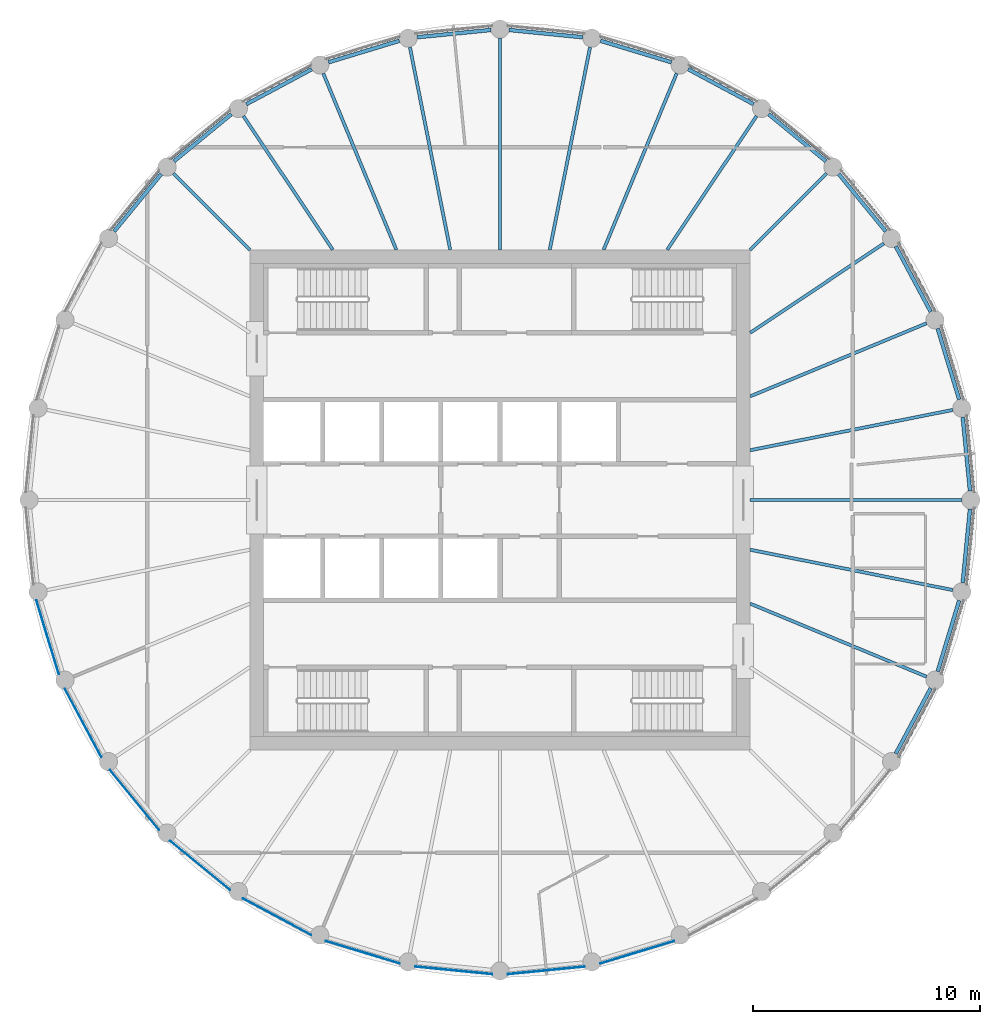
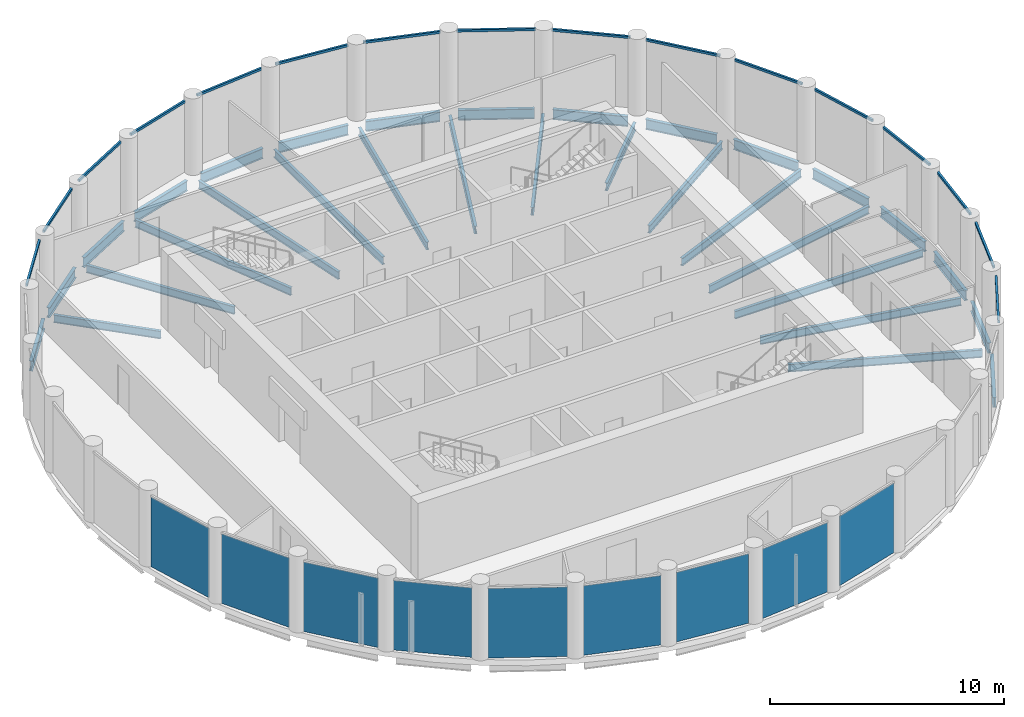
# One storey, part 2 of 7: 31 beams, 16 members, 9 plates, 25 elements without a shape of their own.
"""IFC4 building model written with IfcOpenShell, lengths in metres."""

import ifcopenshell
import ifcopenshell.guid

model = None  # the IFC model being written
_history = None  # IfcOwnerHistory: only IFC2X3 demands one
_inside = {}  # id of a spatial element -> (the spatial element, [elements in it])
_under = {}  # id of a project, library or spatial element -> (it, [spatial elements below it])
_declared = {}  # id of a project -> (the project, [libraries it declares])
_typed = {}  # id of a type object -> (the type object, [elements of that type])
_made_of = {}  # id of a material, layer set ... -> (it, [elements and type objects made of it])


def new_model(schema):
    """Start an empty IFC model of exactly this schema.

    Asked for "IFC4X3", IfcOpenShell would pick the latest addendum, in which some entities
    have other attributes; the version numbers below select the first issue.
    IFC2X3 requires an IfcOwnerHistory on every rooted entity: one is made here for all.
    """
    global model, _history
    if schema == "IFC4X3":
        model = ifcopenshell.file(schema_version=(4, 3, 0, 0))
    else:
        model = ifcopenshell.file(schema=schema)
    _inside.clear()
    _under.clear()
    _declared.clear()
    _typed.clear()
    _made_of.clear()
    _history = None
    if model.schema == "IFC2X3":
        org = make("IfcOrganization", Name="unknown")
        user = make(
            "IfcPersonAndOrganization",
            ThePerson=make("IfcPerson", FamilyName="unknown"),
            TheOrganization=org,
        )
        app = make(
            "IfcApplication",
            ApplicationDeveloper=org,
            Version="unknown",
            ApplicationFullName="unknown",
            ApplicationIdentifier="unknown",
        )
        _history = make(
            "IfcOwnerHistory",
            OwningUser=user,
            OwningApplication=app,
            ChangeAction="ADDED",
            CreationDate=0,
        )
    return model


def make(cls, **values):
    """One entity of the class cls with the attributes given. An attribute that is None is left unset."""
    return model.create_entity(
        cls, **{name: value for name, value in values.items() if value is not None}
    )


def rooted(cls, **values):
    """An entity with a GlobalId (a new one), such as an element, a storey or a relation."""
    return make(cls, GlobalId=ifcopenshell.guid.new(), OwnerHistory=_history, **values)


def si_unit(unit_type, name, prefix=None):
    """IfcSIUnit, for example si_unit("LENGTHUNIT", "METRE", prefix="MILLI")."""
    return make("IfcSIUnit", UnitType=unit_type, Prefix=prefix, Name=name)


def assignment(units):
    """IfcUnitAssignment: the units of a project."""
    return None if units is None else make("IfcUnitAssignment", Units=units)


def point(xyz):
    """IfcCartesianPoint."""
    return None if xyz is None else make("IfcCartesianPoint", Coordinates=xyz)


def direction(xyz):
    """IfcDirection."""
    return None if xyz is None else make("IfcDirection", DirectionRatios=xyz)


def frame(location, z_axis=None, x_axis=None):
    """IfcAxis2Placement3D, a coordinate frame: its origin and axes. An axis left out is left unset."""
    return make(
        "IfcAxis2Placement3D",
        Location=point(location),
        Axis=direction(z_axis),
        RefDirection=direction(x_axis),
    )


def frame_2d(location, x_axis=None):
    """IfcAxis2Placement2D, a coordinate frame in the plane: its origin and x axis."""
    return make(
        "IfcAxis2Placement2D", Location=point(location), RefDirection=direction(x_axis)
    )


def origin():
    """The frame at (0, 0, 0) with its axes left unset."""
    return frame((0.0, 0.0, 0.0))


def origin_2d():
    """The frame at (0, 0) in the plane with its x axis left unset."""
    return frame_2d((0.0, 0.0))


def place(relative_to, where):
    """IfcLocalPlacement: puts the frame where relative to a parent placement (None: the world)."""
    return make(
        "IfcLocalPlacement", PlacementRelTo=relative_to, RelativePlacement=where
    )


def context(
    kind, dimensions, precision=None, world=None, true_north=None, identifier=None
):
    """IfcGeometricRepresentationContext, for example the 3D "Model" context."""
    return make(
        "IfcGeometricRepresentationContext",
        ContextIdentifier=identifier,
        ContextType=kind,
        CoordinateSpaceDimension=dimensions,
        Precision=precision,
        WorldCoordinateSystem=world,
        TrueNorth=true_north,
    )


def subcontext(parent, identifier, kind, view, scale=None):
    """IfcGeometricRepresentationSubContext, for example "Body" below "Model"."""
    return make(
        "IfcGeometricRepresentationSubContext",
        ContextIdentifier=identifier,
        ContextType=kind,
        ParentContext=parent,
        TargetScale=scale,
        TargetView=view,
    )


def project(units=None, contexts=None):
    """IfcProject with its units and contexts."""
    return rooted(
        "IfcProject",
        Name="project",
        RepresentationContexts=contexts,
        UnitsInContext=assignment(units),
    )


def spatial(cls, under=None, at=None, **own):
    """A site, building, storey or space (cls), placed at a placement, below another one or the project."""
    s = rooted(cls, ObjectPlacement=at, **own)
    if under is not None:
        _under.setdefault(under.id(), (under, []))[1].append(s)
    return s


def profile(cls, at=None, kind="AREA", **sizes):
    """A parametric profile (cls). Its sizes go by their IFC names, for example OverallWidth=200.0."""
    return make(cls, ProfileType=kind, Position=at, **sizes)


def rectangle(**sizes):
    """IfcRectangleProfileDef."""
    return profile("IfcRectangleProfileDef", **sizes)


def i_section(**sizes):
    """IfcIShapeProfileDef."""
    return profile("IfcIShapeProfileDef", **sizes)


def extrude(swept, where, along, depth):
    """IfcExtrudedAreaSolid: the profile swept, set in the frame where, extruded along a direction by depth."""
    return make(
        "IfcExtrudedAreaSolid",
        SweptArea=swept,
        Position=where,
        ExtrudedDirection=direction(along),
        Depth=depth,
    )


def shape(context_of_items, identifier, shape_type, items):
    """IfcShapeRepresentation: the items that make up one representation, for example the "Body"."""
    return make(
        "IfcShapeRepresentation",
        ContextOfItems=context_of_items,
        RepresentationIdentifier=identifier,
        RepresentationType=shape_type,
        Items=items,
    )


def material(Name=None, Category=None):
    """IfcMaterial."""
    return make("IfcMaterial", Name=Name, Category=Category)


def layer(
    of_material, thickness, ventilated=None, Name=None, Category=None, Priority=None
):
    """IfcMaterialLayer: one layer of a wall or slab, of a material (None: an air gap)."""
    return make(
        "IfcMaterialLayer",
        Material=of_material,
        LayerThickness=thickness,
        IsVentilated=ventilated,
        Name=Name,
        Category=Category,
        Priority=Priority,
    )


def layer_set(layers, Name=None):
    """IfcMaterialLayerSet."""
    return make("IfcMaterialLayerSet", MaterialLayers=layers, LayerSetName=Name)


def material_profile(
    of_material, cross_section, Name=None, Category=None, Priority=None
):
    """IfcMaterialProfile: a cross section and its material."""
    return make(
        "IfcMaterialProfile",
        Name=Name,
        Material=of_material,
        Profile=cross_section,
        Priority=Priority,
        Category=Category,
    )


def profile_set(profiles, Name=None, composite=None):
    """IfcMaterialProfileSet."""
    return make(
        "IfcMaterialProfileSet",
        Name=Name,
        MaterialProfiles=profiles,
        CompositeProfile=composite,
    )


def made_of(thing, what):
    """Note that an element or type object is made of a material, layer set ...; save() writes the relation."""
    if what is not None:
        _made_of.setdefault(what.id(), (what, []))[1].append(thing)
    return thing


def type_object(cls, material=None, **own):
    """A type object (cls), such as IfcWallType, which elements share."""
    return made_of(rooted(cls, **own), material)


def element(
    cls,
    number,
    at=None,
    inside=None,
    cuts=None,
    type_object=None,
    material=None,
    context=None,
    identifier="Body",
    shape_type=None,
    held_by="IfcProductDefinitionShape",
    body=None,
    shapes=None,
    **own,
):
    """One element of the class cls, such as IfcWall. Its Tag is "e" and its number.

    at: its placement. inside: the storey or other place that contains it. cuts: it is an
    opening in that element (IfcRelVoidsElement). A single representation is given by context,
    identifier, shape_type and body (its items); several are given by shapes. held_by: the class
    of the entity that holds the representations. save() writes the other relations.
    """
    e = rooted(cls, Tag="e%d" % number, ObjectPlacement=at, **own)
    if body is not None:
        shapes = [shape(context, identifier, shape_type, body)]
    if shapes is not None:
        e.Representation = make(held_by, Representations=shapes)
    if inside is not None:
        _inside.setdefault(inside.id(), (inside, []))[1].append(e)
    if cuts is not None:
        rooted(
            "IfcRelVoidsElement", RelatingBuildingElement=cuts, RelatedOpeningElement=e
        )
    if type_object is not None:
        _typed.setdefault(type_object.id(), (type_object, []))[1].append(e)
    return made_of(e, material)


def aggregate(whole, parts):
    """IfcRelAggregates: a whole, such as a stair, and the parts it consists of."""
    return rooted("IfcRelAggregates", RelatingObject=whole, RelatedObjects=parts)


def save(model, path):
    """Write the relations noted so far, then the file.

    IfcRelAggregates (storeys below a building ...), IfcRelContainedInSpatialStructure (elements
    in a storey), IfcRelDefinesByType, IfcRelAssociatesMaterial and IfcRelDeclares: one each for
    every whole, place, type object, material and project.
    """
    for whole, parts in _under.values():
        aggregate(whole, parts)
    for where, things in _inside.values():
        rooted(
            "IfcRelContainedInSpatialStructure",
            RelatedElements=things,
            RelatingStructure=where,
        )
    for kind, things in _typed.values():
        rooted("IfcRelDefinesByType", RelatedObjects=things, RelatingType=kind)
    for what, things in _made_of.values():
        rooted("IfcRelAssociatesMaterial", RelatedObjects=things, RelatingMaterial=what)
    for by, libraries in _declared.values():
        rooted("IfcRelDeclares", RelatingContext=by, RelatedDefinitions=libraries)
    model.write(path)


model = new_model("IFC4")

# Units and contexts
model_context = context("Model", 3, precision=1e-05, world=origin(), true_north=direction((0.0, 1.0)))
body_context = subcontext(model_context, "Body", "Model", "MODEL_VIEW")
ifc_project = project(units=[si_unit("LENGTHUNIT", "METRE"), si_unit("AREAUNIT", "SQUARE_METRE"), si_unit("VOLUMEUNIT", "CUBIC_METRE"), si_unit("PLANEANGLEUNIT", "RADIAN"), si_unit("MASSUNIT", "GRAM", prefix="KILO")], contexts=[model_context])

# Site, building, storey
site_placement = place(None, origin())
site = spatial("IfcSite", under=ifc_project, at=site_placement, CompositionType="ELEMENT")
building_placement = place(site_placement, origin())
building = spatial("IfcBuilding", under=site, at=building_placement, Name="Corvane Civic Tower", CompositionType="ELEMENT")
storey_placement = place(building_placement, frame((0.0, 0.0, 352.5)))
storey = spatial("IfcBuildingStorey", under=building, at=storey_placement, Name="L84", CompositionType="ELEMENT", Elevation=352.5)

# Beams
ifc_material_1 = material(Name="Steel ASTM A992 Gr 50", Category="steel")
ifc_material_profile_1 = material_profile(ifc_material_1, i_section(OverallWidth=0.165771484375, OverallDepth=0.5283203125, WebThickness=0.009765625, FlangeThickness=0.013671875, at=origin_2d()), Name="W21X50")
ifc_profile_set_1 = profile_set([ifc_material_profile_1], Name="Steel ASTM A992 Gr 50")
beam_type_1 = type_object("IfcBeamType", Name="EDGE BEAM W21X50", PredefinedType="BEAM", material=ifc_profile_set_1)
beam_1_placement = place(storey_placement, frame((0.39794921875, 20.66064453125, -0.564208984375), z_axis=(0.995192503142, -0.097938152369, 0.0), x_axis=(0.097938152369, 0.995192503142, 0.0)))
element("IfcBeam", 1, at=beam_1_placement, inside=storey, type_object=beam_type_1, Name="BM-L84-E01", PredefinedType="BEAM", context=body_context, shape_type="SweptSolid", body=[
    extrude(i_section(OverallWidth=0.165771484375, OverallDepth=0.5283203125, WebThickness=0.009765625, FlangeThickness=0.013671875, at=origin_2d()), origin(), (0.0, 0.0, 1.0), 3.258056640625),
])
for number, where, z_axis, x_axis, name in (
    (2, (4.421142578125, 20.18603515625, -0.564208984375), (0.956955679349, -0.290234091317, 0.0), (0.290234091317, 0.956955679349, 0.0), "BM-L84-E02"),
    (3, (8.2744140625, 18.935791015625, -0.564208984375), (0.881894065907, -0.471447618, 0.0), (0.471447618, 0.881894065907, 0.0), "BM-L84-E03"),
    (4, (11.8095703125, 16.957763671875, -0.564208984375), (0.772984791903, -0.634424551454, 0.0), (0.634424551454, 0.772984791903, 0.0), "BM-L84-E04"),
    (5, (14.890869140625, 14.327880859375, -0.564208984375), (0.634424551454, -0.772984791903, 0.0), (0.772984791903, 0.634424551454, 0.0), "BM-L84-E05"),
    (6, (17.39990234375, 11.1474609375, -0.564208984375), (0.471447618, -0.881894065907, 0.0), (0.881894065907, 0.471447618, 0.0), "BM-L84-E06"),
    (7, (19.240478515625, 7.538818359375, -0.564208984375), (0.290234091317, -0.956955679349, 0.0), (0.956955679349, 0.290234091317, 0.0), "BM-L84-E07"),
):
    element("IfcBeam", number, at=place(storey_placement, frame(where, z_axis=z_axis, x_axis=x_axis)), inside=storey, type_object=beam_type_1, Name=name, PredefinedType="BEAM", context=body_context, shape_type="SweptSolid", body=[
        extrude(i_section(OverallWidth=0.165771484375, OverallDepth=0.5283203125, WebThickness=0.009765625, FlangeThickness=0.013671875, at=origin_2d()), origin(), (0.0, 0.0, 1.0), 3.2578125),
    ])
for number, where, z_axis, x_axis, name in (
    (8, (20.341552734375, 3.640380859375, -0.564208984375), (0.097938152369, -0.995192503142, 0.0), (0.995192503142, 0.097938152369, 0.0), "BM-L84-E08"),
    (9, (20.66064453125, -0.39794921875, -0.564208984375), (-0.097938152369, -0.995192503142, 0.0), (0.995192503142, -0.097938152369, 0.0), "BM-L84-E09"),
):
    element("IfcBeam", number, at=place(storey_placement, frame(where, z_axis=z_axis, x_axis=x_axis)), inside=storey, type_object=beam_type_1, Name=name, PredefinedType="BEAM", context=body_context, shape_type="SweptSolid", body=[
        extrude(i_section(OverallWidth=0.165771484375, OverallDepth=0.5283203125, WebThickness=0.009765625, FlangeThickness=0.013671875, at=origin_2d()), origin(), (0.0, 0.0, 1.0), 3.258056640625),
    ])
for number, where, z_axis, x_axis, name in (
    (10, (20.18603515625, -4.421142578125, -0.564208984375), (-0.290234091317, -0.956955679349, 0.0), (0.956955679349, -0.290234091317, 0.0), "BM-L84-E10"),
    (11, (18.935791015625, -8.2744140625, -0.564208984375), (-0.471447618, -0.881894065907, 0.0), (0.881894065907, -0.471447618, 0.0), "BM-L84-E11"),
    (12, (-16.957763671875, 11.8095703125, -0.564208984375), (0.634424551454, 0.772984791903, 0.0), (-0.772984791903, 0.634424551454, 0.0), "BM-L84-E28"),
    (13, (-14.327880859375, 14.890869140625, -0.564208984375), (0.772984791903, 0.634424551454, 0.0), (-0.634424551454, 0.772984791903, 0.0), "BM-L84-E29"),
    (14, (-11.1474609375, 17.39990234375, -0.564208984375), (0.881894065907, 0.471447618, 0.0), (-0.471447618, 0.881894065907, 0.0), "BM-L84-E30"),
    (15, (-7.538818359375, 19.240478515625, -0.564208984375), (0.956955679349, 0.290234091317, 0.0), (-0.290234091317, 0.956955679349, 0.0), "BM-L84-E31"),
):
    element("IfcBeam", number, at=place(storey_placement, frame(where, z_axis=z_axis, x_axis=x_axis)), inside=storey, type_object=beam_type_1, Name=name, PredefinedType="BEAM", context=body_context, shape_type="SweptSolid", body=[
        extrude(i_section(OverallWidth=0.165771484375, OverallDepth=0.5283203125, WebThickness=0.009765625, FlangeThickness=0.013671875, at=origin_2d()), origin(), (0.0, 0.0, 1.0), 3.2578125),
    ])
beam_2_placement = place(storey_placement, frame((-3.640380859375, 20.341552734375, -0.564208984375), z_axis=(0.995192503142, 0.097938152369, 0.0), x_axis=(-0.097938152369, 0.995192503142, 0.0)))
element("IfcBeam", 16, at=beam_2_placement, inside=storey, type_object=beam_type_1, Name="BM-L84-E32", PredefinedType="BEAM", context=body_context, shape_type="SweptSolid", body=[
    extrude(i_section(OverallWidth=0.165771484375, OverallDepth=0.5283203125, WebThickness=0.009765625, FlangeThickness=0.013671875, at=origin_2d()), origin(), (0.0, 0.0, 1.0), 3.258056640625),
])
ifc_material_2 = material(Name="Steel ASTM A992 Gr 50", Category="steel")
ifc_material_profile_2 = material_profile(ifc_material_2, i_section(OverallWidth=0.140380859375, OverallDepth=0.40380859375, WebThickness=0.007080078125, FlangeThickness=0.01123046875, at=origin_2d()), Name="W16X31")
ifc_profile_set_2 = profile_set([ifc_material_profile_2], Name="Steel ASTM A992 Gr 50")
beam_type_2 = type_object("IfcBeamType", Name="FLOOR GIRDER W16X31", PredefinedType="BEAM", material=ifc_profile_set_2)
beam_3_placement = place(storey_placement, frame((0.0, 11.0, -0.501953125), z_axis=(0.0, 1.0, 0.0), x_axis=(-1.0, 0.0, 0.0)))
element("IfcBeam", 17, at=beam_3_placement, inside=storey, type_object=beam_type_2, Name="BM-L84-G01", PredefinedType="BEAM", context=body_context, shape_type="SweptSolid", body=[
    extrude(i_section(OverallWidth=0.140380859375, OverallDepth=0.40380859375, WebThickness=0.007080078125, FlangeThickness=0.01123046875, at=origin_2d()), origin(), (0.0, 0.0, 1.0), 9.300048828125),
])
beam_4_placement = place(storey_placement, frame((2.18798828125, 11.0, -0.501953125), z_axis=(0.195108241061, 0.980781715913, 0.0), x_axis=(-0.980781715913, 0.195108241061, 0.0)))
element("IfcBeam", 18, at=beam_4_placement, inside=storey, type_object=beam_type_2, Name="BM-L84-G02", PredefinedType="BEAM", context=body_context, shape_type="SweptSolid", body=[
    extrude(i_section(OverallWidth=0.140380859375, OverallDepth=0.40380859375, WebThickness=0.007080078125, FlangeThickness=0.01123046875, at=origin_2d()), origin(), (0.0, 0.0, 1.0), 9.08447265625),
])
beam_5_placement = place(storey_placement, frame((4.556396484375, 11.0, -0.501953125), z_axis=(0.382691739894, 0.923876091377, 0.0), x_axis=(-0.923876091377, 0.382691739894, 0.0)))
element("IfcBeam", 19, at=beam_5_placement, inside=storey, type_object=beam_type_2, Name="BM-L84-G03", PredefinedType="BEAM", context=body_context, shape_type="SweptSolid", body=[
    extrude(i_section(OverallWidth=0.140380859375, OverallDepth=0.40380859375, WebThickness=0.007080078125, FlangeThickness=0.01123046875, at=origin_2d()), origin(), (0.0, 0.0, 1.0), 8.3935546875),
])
beam_6_placement = place(storey_placement, frame((7.349853515625, 11.0, -0.501953125), z_axis=(0.555576401385, 0.831465490699, 0.0), x_axis=(-0.831465490699, 0.555576401385, 0.0)))
element("IfcBeam", 20, at=beam_6_placement, inside=storey, type_object=beam_type_2, Name="BM-L84-G04", PredefinedType="BEAM", context=body_context, shape_type="SweptSolid", body=[
    extrude(i_section(OverallWidth=0.140380859375, OverallDepth=0.40380859375, WebThickness=0.007080078125, FlangeThickness=0.01123046875, at=origin_2d()), origin(), (0.0, 0.0, 1.0), 7.070556640625),
])
beam_7_placement = place(storey_placement, frame((11.0, 11.0, -0.501953125), z_axis=(0.707106781187, 0.707106781187, 0.0), x_axis=(-0.707106781187, 0.707106781187, 0.0)))
element("IfcBeam", 21, at=beam_7_placement, inside=storey, type_object=beam_type_2, Name="BM-L84-G05", PredefinedType="BEAM", context=body_context, shape_type="SweptSolid", body=[
    extrude(i_section(OverallWidth=0.140380859375, OverallDepth=0.40380859375, WebThickness=0.007080078125, FlangeThickness=0.01123046875, at=origin_2d()), origin(), (0.0, 0.0, 1.0), 4.74365234375),
])
beam_8_placement = place(storey_placement, frame((11.0, 7.349853515625, -0.501953125), z_axis=(0.831465490699, 0.555576401385, 0.0), x_axis=(-0.555576401385, 0.831465490699, 0.0)))
element("IfcBeam", 22, at=beam_8_placement, inside=storey, type_object=beam_type_2, Name="BM-L84-G06", PredefinedType="BEAM", context=body_context, shape_type="SweptSolid", body=[
    extrude(i_section(OverallWidth=0.140380859375, OverallDepth=0.40380859375, WebThickness=0.007080078125, FlangeThickness=0.01123046875, at=origin_2d()), origin(), (0.0, 0.0, 1.0), 7.070556640625),
])
beam_9_placement = place(storey_placement, frame((11.0, 4.556396484375, -0.501953125), z_axis=(0.923876091377, 0.382691739894, 0.0), x_axis=(-0.382691739894, 0.923876091377, 0.0)))
element("IfcBeam", 23, at=beam_9_placement, inside=storey, type_object=beam_type_2, Name="BM-L84-G07", PredefinedType="BEAM", context=body_context, shape_type="SweptSolid", body=[
    extrude(i_section(OverallWidth=0.140380859375, OverallDepth=0.40380859375, WebThickness=0.007080078125, FlangeThickness=0.01123046875, at=origin_2d()), origin(), (0.0, 0.0, 1.0), 8.3935546875),
])
beam_10_placement = place(storey_placement, frame((11.0, 2.18798828125, -0.501953125), z_axis=(0.980781715913, 0.195108241061, 0.0), x_axis=(-0.195108241061, 0.980781715913, 0.0)))
element("IfcBeam", 24, at=beam_10_placement, inside=storey, type_object=beam_type_2, Name="BM-L84-G08", PredefinedType="BEAM", context=body_context, shape_type="SweptSolid", body=[
    extrude(i_section(OverallWidth=0.140380859375, OverallDepth=0.40380859375, WebThickness=0.007080078125, FlangeThickness=0.01123046875, at=origin_2d()), origin(), (0.0, 0.0, 1.0), 9.08447265625),
])
beam_11_placement = place(storey_placement, frame((11.0, 0.0, -0.501953125), z_axis=(1.0, 0.0, 0.0), x_axis=(0.0, 1.0, 0.0)))
element("IfcBeam", 25, at=beam_11_placement, inside=storey, type_object=beam_type_2, Name="BM-L84-G09", PredefinedType="BEAM", context=body_context, shape_type="SweptSolid", body=[
    extrude(i_section(OverallWidth=0.140380859375, OverallDepth=0.40380859375, WebThickness=0.007080078125, FlangeThickness=0.01123046875, at=origin_2d()), origin(), (0.0, 0.0, 1.0), 9.300048828125),
])
beam_12_placement = place(storey_placement, frame((11.0, -2.18798828125, -0.501953125), z_axis=(0.980781715913, -0.195108241061, 0.0), x_axis=(0.195108241061, 0.980781715913, 0.0)))
element("IfcBeam", 26, at=beam_12_placement, inside=storey, type_object=beam_type_2, Name="BM-L84-G10", PredefinedType="BEAM", context=body_context, shape_type="SweptSolid", body=[
    extrude(i_section(OverallWidth=0.140380859375, OverallDepth=0.40380859375, WebThickness=0.007080078125, FlangeThickness=0.01123046875, at=origin_2d()), origin(), (0.0, 0.0, 1.0), 9.08447265625),
])
beam_13_placement = place(storey_placement, frame((11.0, -4.556396484375, -0.501953125), z_axis=(0.923876091377, -0.382691739894, 0.0), x_axis=(0.382691739894, 0.923876091377, 0.0)))
element("IfcBeam", 27, at=beam_13_placement, inside=storey, type_object=beam_type_2, Name="BM-L84-G11", PredefinedType="BEAM", context=body_context, shape_type="SweptSolid", body=[
    extrude(i_section(OverallWidth=0.140380859375, OverallDepth=0.40380859375, WebThickness=0.007080078125, FlangeThickness=0.01123046875, at=origin_2d()), origin(), (0.0, 0.0, 1.0), 8.3935546875),
])
beam_14_placement = place(storey_placement, frame((-11.0, 11.0, -0.501953125), z_axis=(-0.707106781187, 0.707106781187, 0.0), x_axis=(-0.707106781187, -0.707106781187, 0.0)))
element("IfcBeam", 28, at=beam_14_placement, inside=storey, type_object=beam_type_2, Name="BM-L84-G29", PredefinedType="BEAM", context=body_context, shape_type="SweptSolid", body=[
    extrude(i_section(OverallWidth=0.140380859375, OverallDepth=0.40380859375, WebThickness=0.007080078125, FlangeThickness=0.01123046875, at=origin_2d()), origin(), (0.0, 0.0, 1.0), 4.74365234375),
])
beam_15_placement = place(storey_placement, frame((-7.349853515625, 11.0, -0.501953125), z_axis=(-0.555576401385, 0.831465490699, 0.0), x_axis=(-0.831465490699, -0.555576401385, 0.0)))
element("IfcBeam", 29, at=beam_15_placement, inside=storey, type_object=beam_type_2, Name="BM-L84-G30", PredefinedType="BEAM", context=body_context, shape_type="SweptSolid", body=[
    extrude(i_section(OverallWidth=0.140380859375, OverallDepth=0.40380859375, WebThickness=0.007080078125, FlangeThickness=0.01123046875, at=origin_2d()), origin(), (0.0, 0.0, 1.0), 7.070556640625),
])
beam_16_placement = place(storey_placement, frame((-4.556396484375, 11.0, -0.501953125), z_axis=(-0.382691739894, 0.923876091377, 0.0), x_axis=(-0.923876091377, -0.382691739894, 0.0)))
element("IfcBeam", 30, at=beam_16_placement, inside=storey, type_object=beam_type_2, Name="BM-L84-G31", PredefinedType="BEAM", context=body_context, shape_type="SweptSolid", body=[
    extrude(i_section(OverallWidth=0.140380859375, OverallDepth=0.40380859375, WebThickness=0.007080078125, FlangeThickness=0.01123046875, at=origin_2d()), origin(), (0.0, 0.0, 1.0), 8.3935546875),
])
beam_17_placement = place(storey_placement, frame((-2.18798828125, 11.0, -0.501953125), z_axis=(-0.195108241061, 0.980781715913, 0.0), x_axis=(-0.980781715913, -0.195108241061, 0.0)))
element("IfcBeam", 31, at=beam_17_placement, inside=storey, type_object=beam_type_2, Name="BM-L84-G32", PredefinedType="BEAM", context=body_context, shape_type="SweptSolid", body=[
    extrude(i_section(OverallWidth=0.140380859375, OverallDepth=0.40380859375, WebThickness=0.007080078125, FlangeThickness=0.01123046875, at=origin_2d()), origin(), (0.0, 0.0, 1.0), 9.08447265625),
])

# Curtain wall, member
ifc_material_3 = material(Name="Anodised aluminium bronze", Category="aluminium")
curtain_wall_type = type_object("IfcCurtainWallType", Name="TOWER CW-T3 STICK CURTAIN WALL", PredefinedType="NOTDEFINED", material=ifc_material_3)
curtain_wall_1_placement = place(storey_placement, origin())
curtain_wall_1 = element("IfcCurtainWall", 32, at=curtain_wall_1_placement, inside=storey, type_object=curtain_wall_type, Name="Curtain wall CW-T3 L84 bay 01", PredefinedType="NOTDEFINED")
ifc_material_4 = material(Name="Anodised aluminium bronze", Category="aluminium")
ifc_material_profile_3 = material_profile(ifc_material_4, rectangle(XDim=0.10009765625, YDim=0.1201171875, at=origin_2d()), Name="TOWER CW-T3 TRANSOM 100x120")
ifc_profile_set_3 = profile_set([ifc_material_profile_3], Name="Anodised aluminium bronze")
member_type = type_object("IfcMemberType", Name="TOWER CW-T3 TRANSOM 100x120", PredefinedType="USERDEFINED", material=ifc_profile_set_3)
member_1_placement = place(storey_placement, frame((0.34375, 20.845947265625, 3.68994140625), z_axis=(0.995191564676, -0.097947688066, 0.0), x_axis=(0.097947688066, 0.995191564676, 0.0)))
member_1 = element("IfcMember", 33, at=member_1_placement, type_object=member_type, Name="Transom CW-T3 L84 01.1", ObjectType="TRANSOM", PredefinedType="USERDEFINED", context=body_context, shape_type="SweptSolid", body=[
    extrude(rectangle(XDim=0.10009765625, YDim=0.1201171875, at=origin_2d()), origin(), (0.0, 0.0, 1.0), 3.40234375),
])
aggregate(curtain_wall_1, [member_1])

curtain_wall_2_placement = place(storey_placement, origin())
curtain_wall_2 = element("IfcCurtainWall", 34, at=curtain_wall_2_placement, inside=storey, type_object=curtain_wall_type, Name="Curtain wall CW-T3 L84 bay 02", PredefinedType="NOTDEFINED")
member_2_placement = place(storey_placement, frame((4.40380859375, 20.37841796875, 3.68994140625), z_axis=(0.956961022204, -0.290216474345, 0.0), x_axis=(0.290216474345, 0.956961022204, 0.0)))
member_2 = element("IfcMember", 35, at=member_2_placement, type_object=member_type, Name="Transom CW-T3 L84 02.1", ObjectType="TRANSOM", PredefinedType="USERDEFINED", context=body_context, shape_type="SweptSolid", body=[
    extrude(rectangle(XDim=0.10009765625, YDim=0.1201171875, at=origin_2d()), origin(), (0.0, 0.0, 1.0), 3.40283203125),
])
aggregate(curtain_wall_2, [member_2])

curtain_wall_3_placement = place(storey_placement, origin())
curtain_wall_3 = element("IfcCurtainWall", 36, at=curtain_wall_3_placement, inside=storey, type_object=curtain_wall_type, Name="Curtain wall CW-T3 L84 bay 03", PredefinedType="NOTDEFINED")
member_3_placement = place(storey_placement, frame((8.294921875, 19.127685546875, 3.68994140625), z_axis=(0.881941440444, -0.471358988063, 0.0), x_axis=(0.471358988063, 0.881941440444, 0.0)))
member_3 = element("IfcMember", 37, at=member_3_placement, type_object=member_type, Name="Transom CW-T3 L84 03.1", ObjectType="TRANSOM", PredefinedType="USERDEFINED", context=body_context, shape_type="SweptSolid", body=[
    extrude(rectangle(XDim=0.10009765625, YDim=0.1201171875, at=origin_2d()), origin(), (0.0, 0.0, 1.0), 3.40234375),
])
aggregate(curtain_wall_3, [member_3])

curtain_wall_4_placement = place(storey_placement, origin())
curtain_wall_4 = element("IfcCurtainWall", 38, at=curtain_wall_4_placement, inside=storey, type_object=curtain_wall_type, Name="Curtain wall CW-T3 L84 bay 04", PredefinedType="NOTDEFINED")
member_4_placement = place(storey_placement, frame((11.8671875, 17.14208984375, 3.68994140625), z_axis=(0.773010217358, -0.634393571736, 0.0), x_axis=(0.634393571736, 0.773010217358, 0.0)))
member_4 = element("IfcMember", 39, at=member_4_placement, type_object=member_type, Name="Transom CW-T3 L84 04.1", ObjectType="TRANSOM", PredefinedType="USERDEFINED", context=body_context, shape_type="SweptSolid", body=[
    extrude(rectangle(XDim=0.10009765625, YDim=0.1201171875, at=origin_2d()), origin(), (0.0, 0.0, 1.0), 3.40283203125),
])
aggregate(curtain_wall_4, [member_4])

curtain_wall_5_placement = place(storey_placement, origin())
curtain_wall_5 = element("IfcCurtainWall", 40, at=curtain_wall_5_placement, inside=storey, type_object=curtain_wall_type, Name="Curtain wall CW-T3 L84 bay 05", PredefinedType="NOTDEFINED")
member_5_placement = place(storey_placement, frame((14.9833984375, 14.49755859375, 3.68994140625), z_axis=(0.634393571736, -0.773010217358, 0.0), x_axis=(0.773010217358, 0.634393571736, 0.0)))
member_5 = element("IfcMember", 41, at=member_5_placement, type_object=member_type, Name="Transom CW-T3 L84 05.1", ObjectType="TRANSOM", PredefinedType="USERDEFINED", context=body_context, shape_type="SweptSolid", body=[
    extrude(rectangle(XDim=0.10009765625, YDim=0.1201171875, at=origin_2d()), origin(), (0.0, 0.0, 1.0), 3.40283203125),
])
aggregate(curtain_wall_5, [member_5])

curtain_wall_6_placement = place(storey_placement, origin())
curtain_wall_6 = element("IfcCurtainWall", 42, at=curtain_wall_6_placement, inside=storey, type_object=curtain_wall_type, Name="Curtain wall CW-T3 L84 bay 06", PredefinedType="NOTDEFINED")
member_6_placement = place(storey_placement, frame((17.52392578125, 11.295654296875, 3.68994140625), z_axis=(0.471358988063, -0.881941440444, 0.0), x_axis=(0.881941440444, 0.471358988063, 0.0)))
member_6 = element("IfcMember", 43, at=member_6_placement, type_object=member_type, Name="Transom CW-T3 L84 06.1", ObjectType="TRANSOM", PredefinedType="USERDEFINED", context=body_context, shape_type="SweptSolid", body=[
    extrude(rectangle(XDim=0.10009765625, YDim=0.1201171875, at=origin_2d()), origin(), (0.0, 0.0, 1.0), 3.40234375),
])
aggregate(curtain_wall_6, [member_6])

curtain_wall_7_placement = place(storey_placement, origin())
curtain_wall_7 = element("IfcCurtainWall", 44, at=curtain_wall_7_placement, inside=storey, type_object=curtain_wall_type, Name="Curtain wall CW-T3 L84 bay 07", PredefinedType="NOTDEFINED")
member_7_placement = place(storey_placement, frame((19.390869140625, 7.66015625, 3.68994140625), z_axis=(0.290216474345, -0.956961022204, 0.0), x_axis=(0.956961022204, 0.290216474345, 0.0)))
member_7 = element("IfcMember", 45, at=member_7_placement, type_object=member_type, Name="Transom CW-T3 L84 07.1", ObjectType="TRANSOM", PredefinedType="USERDEFINED", context=body_context, shape_type="SweptSolid", body=[
    extrude(rectangle(XDim=0.10009765625, YDim=0.1201171875, at=origin_2d()), origin(), (0.0, 0.0, 1.0), 3.40283203125),
])
aggregate(curtain_wall_7, [member_7])

curtain_wall_8_placement = place(storey_placement, origin())
curtain_wall_8 = element("IfcCurtainWall", 46, at=curtain_wall_8_placement, inside=storey, type_object=curtain_wall_type, Name="Curtain wall CW-T3 L84 bay 08", PredefinedType="NOTDEFINED")
member_8_placement = place(storey_placement, frame((20.5126953125, 3.729736328125, 3.68994140625), z_axis=(0.097947688066, -0.995191564676, 0.0), x_axis=(0.995191564676, 0.097947688066, 0.0)))
member_8 = element("IfcMember", 47, at=member_8_placement, type_object=member_type, Name="Transom CW-T3 L84 08.1", ObjectType="TRANSOM", PredefinedType="USERDEFINED", context=body_context, shape_type="SweptSolid", body=[
    extrude(rectangle(XDim=0.10009765625, YDim=0.1201171875, at=origin_2d()), origin(), (0.0, 0.0, 1.0), 3.40234375),
])
aggregate(curtain_wall_8, [member_8])

curtain_wall_9_placement = place(storey_placement, origin())
curtain_wall_9 = element("IfcCurtainWall", 48, at=curtain_wall_9_placement, inside=storey, type_object=curtain_wall_type, Name="Curtain wall CW-T3 L84 bay 09", PredefinedType="NOTDEFINED")
member_9_placement = place(storey_placement, frame((20.845947265625, -0.34375, 3.68994140625), z_axis=(-0.097947688066, -0.995191564676, 0.0), x_axis=(0.995191564676, -0.097947688066, 0.0)))
member_9 = element("IfcMember", 49, at=member_9_placement, type_object=member_type, Name="Transom CW-T3 L84 09.1", ObjectType="TRANSOM", PredefinedType="USERDEFINED", context=body_context, shape_type="SweptSolid", body=[
    extrude(rectangle(XDim=0.10009765625, YDim=0.1201171875, at=origin_2d()), origin(), (0.0, 0.0, 1.0), 3.40234375),
])
aggregate(curtain_wall_9, [member_9])

curtain_wall_10_placement = place(storey_placement, origin())
curtain_wall_10 = element("IfcCurtainWall", 50, at=curtain_wall_10_placement, inside=storey, type_object=curtain_wall_type, Name="Curtain wall CW-T3 L84 bay 10", PredefinedType="NOTDEFINED")
member_10_placement = place(storey_placement, frame((20.37841796875, -4.40380859375, 3.68994140625), z_axis=(-0.290216474345, -0.956961022204, 0.0), x_axis=(0.956961022204, -0.290216474345, 0.0)))
member_10 = element("IfcMember", 51, at=member_10_placement, type_object=member_type, Name="Transom CW-T3 L84 10.1", ObjectType="TRANSOM", PredefinedType="USERDEFINED", context=body_context, shape_type="SweptSolid", body=[
    extrude(rectangle(XDim=0.10009765625, YDim=0.1201171875, at=origin_2d()), origin(), (0.0, 0.0, 1.0), 3.40283203125),
])
aggregate(curtain_wall_10, [member_10])

curtain_wall_11_placement = place(storey_placement, origin())
curtain_wall_11 = element("IfcCurtainWall", 52, at=curtain_wall_11_placement, inside=storey, type_object=curtain_wall_type, Name="Curtain wall CW-T3 L84 bay 11", PredefinedType="NOTDEFINED")
member_11_placement = place(storey_placement, frame((19.127685546875, -8.294921875, 3.68994140625), z_axis=(-0.471358988063, -0.881941440444, 0.0), x_axis=(0.881941440444, -0.471358988063, 0.0)))
member_11 = element("IfcMember", 53, at=member_11_placement, type_object=member_type, Name="Transom CW-T3 L84 11.1", ObjectType="TRANSOM", PredefinedType="USERDEFINED", context=body_context, shape_type="SweptSolid", body=[
    extrude(rectangle(XDim=0.10009765625, YDim=0.1201171875, at=origin_2d()), origin(), (0.0, 0.0, 1.0), 3.40234375),
])
aggregate(curtain_wall_11, [member_11])

curtain_wall_12_placement = place(storey_placement, origin())
curtain_wall_12 = element("IfcCurtainWall", 54, at=curtain_wall_12_placement, inside=storey, type_object=curtain_wall_type, Name="Curtain wall CW-T3 L84 bay 28", PredefinedType="NOTDEFINED")
member_12_placement = place(storey_placement, frame((-17.14208984375, 11.8671875, 3.68994140625), z_axis=(0.634393571736, 0.773010217358, 0.0), x_axis=(-0.773010217358, 0.634393571736, 0.0)))
member_12 = element("IfcMember", 55, at=member_12_placement, type_object=member_type, Name="Transom CW-T3 L84 28.1", ObjectType="TRANSOM", PredefinedType="USERDEFINED", context=body_context, shape_type="SweptSolid", body=[
    extrude(rectangle(XDim=0.10009765625, YDim=0.1201171875, at=origin_2d()), origin(), (0.0, 0.0, 1.0), 3.40283203125),
])
aggregate(curtain_wall_12, [member_12])

curtain_wall_13_placement = place(storey_placement, origin())
curtain_wall_13 = element("IfcCurtainWall", 56, at=curtain_wall_13_placement, inside=storey, type_object=curtain_wall_type, Name="Curtain wall CW-T3 L84 bay 29", PredefinedType="NOTDEFINED")
member_13_placement = place(storey_placement, frame((-14.49755859375, 14.9833984375, 3.68994140625), z_axis=(0.773010217358, 0.634393571736, 0.0), x_axis=(-0.634393571736, 0.773010217358, 0.0)))
member_13 = element("IfcMember", 57, at=member_13_placement, type_object=member_type, Name="Transom CW-T3 L84 29.1", ObjectType="TRANSOM", PredefinedType="USERDEFINED", context=body_context, shape_type="SweptSolid", body=[
    extrude(rectangle(XDim=0.10009765625, YDim=0.1201171875, at=origin_2d()), origin(), (0.0, 0.0, 1.0), 3.40283203125),
])
aggregate(curtain_wall_13, [member_13])

curtain_wall_14_placement = place(storey_placement, origin())
curtain_wall_14 = element("IfcCurtainWall", 58, at=curtain_wall_14_placement, inside=storey, type_object=curtain_wall_type, Name="Curtain wall CW-T3 L84 bay 30", PredefinedType="NOTDEFINED")
member_14_placement = place(storey_placement, frame((-11.295654296875, 17.52392578125, 3.68994140625), z_axis=(0.881941440444, 0.471358988063, 0.0), x_axis=(-0.471358988063, 0.881941440444, 0.0)))
member_14 = element("IfcMember", 59, at=member_14_placement, type_object=member_type, Name="Transom CW-T3 L84 30.1", ObjectType="TRANSOM", PredefinedType="USERDEFINED", context=body_context, shape_type="SweptSolid", body=[
    extrude(rectangle(XDim=0.10009765625, YDim=0.1201171875, at=origin_2d()), origin(), (0.0, 0.0, 1.0), 3.40234375),
])
aggregate(curtain_wall_14, [member_14])

curtain_wall_15_placement = place(storey_placement, origin())
curtain_wall_15 = element("IfcCurtainWall", 60, at=curtain_wall_15_placement, inside=storey, type_object=curtain_wall_type, Name="Curtain wall CW-T3 L84 bay 31", PredefinedType="NOTDEFINED")
member_15_placement = place(storey_placement, frame((-7.66015625, 19.390869140625, 3.68994140625), z_axis=(0.956961022204, 0.290216474345, 0.0), x_axis=(-0.290216474345, 0.956961022204, 0.0)))
member_15 = element("IfcMember", 61, at=member_15_placement, type_object=member_type, Name="Transom CW-T3 L84 31.1", ObjectType="TRANSOM", PredefinedType="USERDEFINED", context=body_context, shape_type="SweptSolid", body=[
    extrude(rectangle(XDim=0.10009765625, YDim=0.1201171875, at=origin_2d()), origin(), (0.0, 0.0, 1.0), 3.40283203125),
])
aggregate(curtain_wall_15, [member_15])

curtain_wall_16_placement = place(storey_placement, origin())
curtain_wall_16 = element("IfcCurtainWall", 62, at=curtain_wall_16_placement, inside=storey, type_object=curtain_wall_type, Name="Curtain wall CW-T3 L84 bay 32", PredefinedType="NOTDEFINED")
member_16_placement = place(storey_placement, frame((-3.729736328125, 20.5126953125, 3.68994140625), z_axis=(0.995191564676, 0.097947688066, 0.0), x_axis=(-0.097947688066, 0.995191564676, 0.0)))
member_16 = element("IfcMember", 63, at=member_16_placement, type_object=member_type, Name="Transom CW-T3 L84 32.1", ObjectType="TRANSOM", PredefinedType="USERDEFINED", context=body_context, shape_type="SweptSolid", body=[
    extrude(rectangle(XDim=0.10009765625, YDim=0.1201171875, at=origin_2d()), origin(), (0.0, 0.0, 1.0), 3.40234375),
])
aggregate(curtain_wall_16, [member_16])

# Curtain wall, plate
curtain_wall_17_placement = place(storey_placement, origin())
curtain_wall_17 = element("IfcCurtainWall", 64, at=curtain_wall_17_placement, inside=storey, type_object=curtain_wall_type, Name="Curtain wall CW-T3 L84 bay 15", PredefinedType="NOTDEFINED")
ifc_material_5 = material(Name="Tinted glass", Category="glass")
ifc_layer = layer(ifc_material_5, 0.028076171875)
ifc_layer_set = layer_set([ifc_layer], Name="Tinted glass")
plate_type = type_object("IfcPlateType", Name="TOWER CW-T3 PANEL IGU28", PredefinedType="CURTAIN_PANEL", material=ifc_layer_set)
plate_1_placement = place(storey_placement, frame((6.031982421875, -19.884765625, 0.0), z_axis=(0.0, 0.0, 1.0), x_axis=(-0.956938582641, -0.290290456359, 0.0)))
plate_1 = element("IfcPlate", 65, at=plate_1_placement, type_object=plate_type, Name="Glass panel CW-T3 L84 15.1", PredefinedType="CURTAIN_PANEL", context=body_context, shape_type="SweptSolid", body=[
    extrude(rectangle(XDim=3.40283203125, YDim=0.028076171875, at=origin_2d()), origin(), (0.0, 0.0, 1.0), 3.6298828125),
])
aggregate(curtain_wall_17, [plate_1])

curtain_wall_18_placement = place(storey_placement, origin())
curtain_wall_18 = element("IfcCurtainWall", 66, at=curtain_wall_18_placement, inside=storey, type_object=curtain_wall_type, Name="Curtain wall CW-T3 L84 bay 16", PredefinedType="NOTDEFINED")
plate_2_placement = place(storey_placement, frame((2.03662109375, -20.679443359375, 0.0), z_axis=(0.0, 0.0, 1.0), x_axis=(-0.995186641028, -0.097997701601, 0.0)))
plate_2 = element("IfcPlate", 67, at=plate_2_placement, type_object=plate_type, Name="Glass panel CW-T3 L84 16.1", PredefinedType="CURTAIN_PANEL", context=body_context, shape_type="SweptSolid", body=[
    extrude(rectangle(XDim=3.402587890625, YDim=0.028076171875, at=origin_2d()), origin(), (0.0, 0.0, 1.0), 3.6298828125),
])
aggregate(curtain_wall_18, [plate_2])

curtain_wall_19_placement = place(storey_placement, origin())
curtain_wall_19 = element("IfcCurtainWall", 68, at=curtain_wall_19_placement, inside=storey, type_object=curtain_wall_type, Name="Curtain wall CW-T3 L84 bay 17", PredefinedType="NOTDEFINED")
plate_3_placement = place(storey_placement, frame((-2.03662109375, -20.679443359375, 0.0), z_axis=(0.0, 0.0, 1.0), x_axis=(-0.995186641028, 0.097997701601, 0.0)))
plate_3 = element("IfcPlate", 69, at=plate_3_placement, type_object=plate_type, Name="Glass panel CW-T3 L84 17.1", PredefinedType="CURTAIN_PANEL", context=body_context, shape_type="SweptSolid", body=[
    extrude(rectangle(XDim=3.402587890625, YDim=0.028076171875, at=origin_2d()), origin(), (0.0, 0.0, 1.0), 3.6298828125),
])
aggregate(curtain_wall_19, [plate_3])

curtain_wall_20_placement = place(storey_placement, origin())
curtain_wall_20 = element("IfcCurtainWall", 70, at=curtain_wall_20_placement, inside=storey, type_object=curtain_wall_type, Name="Curtain wall CW-T3 L84 bay 18", PredefinedType="NOTDEFINED")
plate_4_placement = place(storey_placement, frame((-6.031982421875, -19.884765625, 0.0), z_axis=(0.0, 0.0, 1.0), x_axis=(-0.956938582641, 0.290290456359, 0.0)))
plate_4 = element("IfcPlate", 71, at=plate_4_placement, type_object=plate_type, Name="Glass panel CW-T3 L84 18.1", PredefinedType="CURTAIN_PANEL", context=body_context, shape_type="SweptSolid", body=[
    extrude(rectangle(XDim=3.40283203125, YDim=0.028076171875, at=origin_2d()), origin(), (0.0, 0.0, 1.0), 3.6298828125),
])
aggregate(curtain_wall_20, [plate_4])

curtain_wall_21_placement = place(storey_placement, origin())
curtain_wall_21 = element("IfcCurtainWall", 72, at=curtain_wall_21_placement, inside=storey, type_object=curtain_wall_type, Name="Curtain wall CW-T3 L84 bay 19", PredefinedType="NOTDEFINED")
plate_5_placement = place(storey_placement, frame((-9.79541015625, -18.325927734375, 0.0), z_axis=(0.0, 0.0, 1.0), x_axis=(-0.88192824848, 0.471383670202, 0.0)))
plate_5 = element("IfcPlate", 73, at=plate_5_placement, type_object=plate_type, Name="Glass panel CW-T3 L84 19.1", PredefinedType="CURTAIN_PANEL", context=body_context, shape_type="SweptSolid", body=[
    extrude(rectangle(XDim=3.40234375, YDim=0.028076171875, at=origin_2d()), origin(), (0.0, 0.0, 1.0), 3.6298828125),
])
aggregate(curtain_wall_21, [plate_5])

curtain_wall_22_placement = place(storey_placement, origin())
curtain_wall_22 = element("IfcCurtainWall", 74, at=curtain_wall_22_placement, inside=storey, type_object=curtain_wall_type, Name="Curtain wall CW-T3 L84 bay 20", PredefinedType="NOTDEFINED")
plate_6_placement = place(storey_placement, frame((-13.182373046875, -16.062744140625, 0.0), z_axis=(0.0, 0.0, 1.0), x_axis=(-0.773010369391, 0.634393386484, 0.0)))
plate_6 = element("IfcPlate", 75, at=plate_6_placement, type_object=plate_type, Name="Glass panel CW-T3 L84 20.1", PredefinedType="CURTAIN_PANEL", context=body_context, shape_type="SweptSolid", body=[
    extrude(rectangle(XDim=3.402587890625, YDim=0.028076171875, at=origin_2d()), origin(), (0.0, 0.0, 1.0), 3.6298828125),
])
aggregate(curtain_wall_22, [plate_6])

curtain_wall_23_placement = place(storey_placement, origin())
curtain_wall_23 = element("IfcCurtainWall", 76, at=curtain_wall_23_placement, inside=storey, type_object=curtain_wall_type, Name="Curtain wall CW-T3 L84 bay 21", PredefinedType="NOTDEFINED")
plate_7_placement = place(storey_placement, frame((-16.062744140625, -13.182373046875, 0.0), z_axis=(0.0, 0.0, 1.0), x_axis=(-0.634393386484, 0.773010369391, 0.0)))
plate_7 = element("IfcPlate", 77, at=plate_7_placement, type_object=plate_type, Name="Glass panel CW-T3 L84 21.1", PredefinedType="CURTAIN_PANEL", context=body_context, shape_type="SweptSolid", body=[
    extrude(rectangle(XDim=3.402587890625, YDim=0.028076171875, at=origin_2d()), origin(), (0.0, 0.0, 1.0), 3.6298828125),
])
aggregate(curtain_wall_23, [plate_7])

curtain_wall_24_placement = place(storey_placement, origin())
curtain_wall_24 = element("IfcCurtainWall", 78, at=curtain_wall_24_placement, inside=storey, type_object=curtain_wall_type, Name="Curtain wall CW-T3 L84 bay 22", PredefinedType="NOTDEFINED")
plate_8_placement = place(storey_placement, frame((-18.325927734375, -9.79541015625, 0.0), z_axis=(0.0, 0.0, 1.0), x_axis=(-0.471383670202, 0.88192824848, 0.0)))
plate_8 = element("IfcPlate", 79, at=plate_8_placement, type_object=plate_type, Name="Glass panel CW-T3 L84 22.1", PredefinedType="CURTAIN_PANEL", context=body_context, shape_type="SweptSolid", body=[
    extrude(rectangle(XDim=3.40234375, YDim=0.028076171875, at=origin_2d()), origin(), (0.0, 0.0, 1.0), 3.6298828125),
])
aggregate(curtain_wall_24, [plate_8])

curtain_wall_25_placement = place(storey_placement, origin())
curtain_wall_25 = element("IfcCurtainWall", 80, at=curtain_wall_25_placement, inside=storey, type_object=curtain_wall_type, Name="Curtain wall CW-T3 L84 bay 23", PredefinedType="NOTDEFINED")
plate_9_placement = place(storey_placement, frame((-19.884765625, -6.031982421875, 0.0), z_axis=(0.0, 0.0, 1.0), x_axis=(-0.290290456359, 0.956938582641, 0.0)))
plate_9 = element("IfcPlate", 81, at=plate_9_placement, type_object=plate_type, Name="Glass panel CW-T3 L84 23.1", PredefinedType="CURTAIN_PANEL", context=body_context, shape_type="SweptSolid", body=[
    extrude(rectangle(XDim=3.40283203125, YDim=0.028076171875, at=origin_2d()), origin(), (0.0, 0.0, 1.0), 3.6298828125),
])
aggregate(curtain_wall_25, [plate_9])

save(model, "model.ifc")
